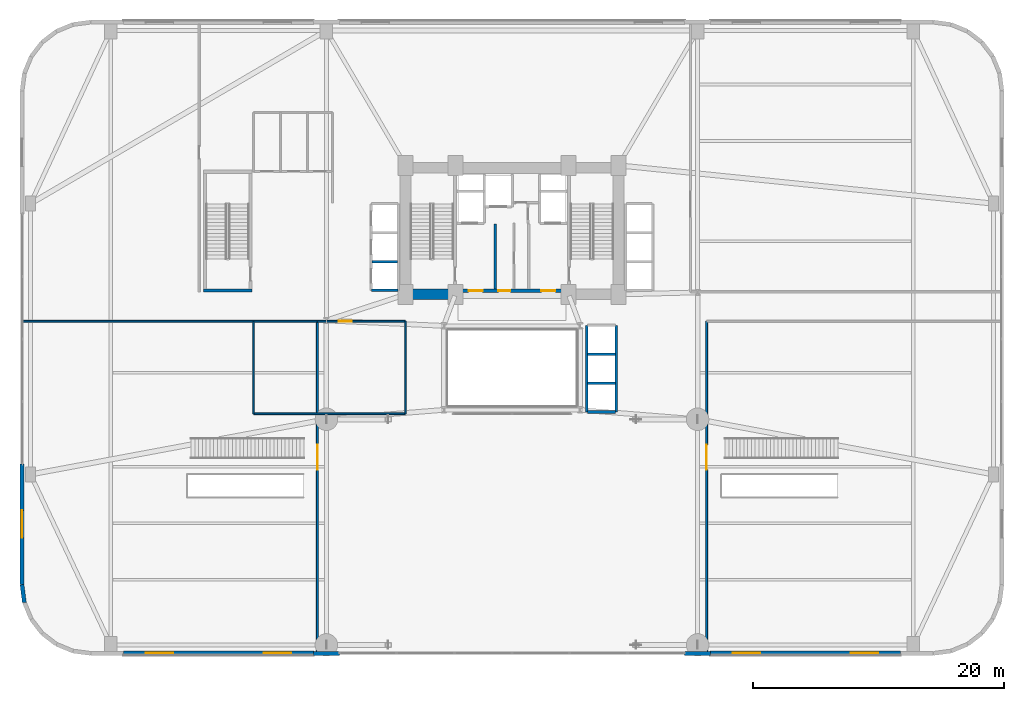
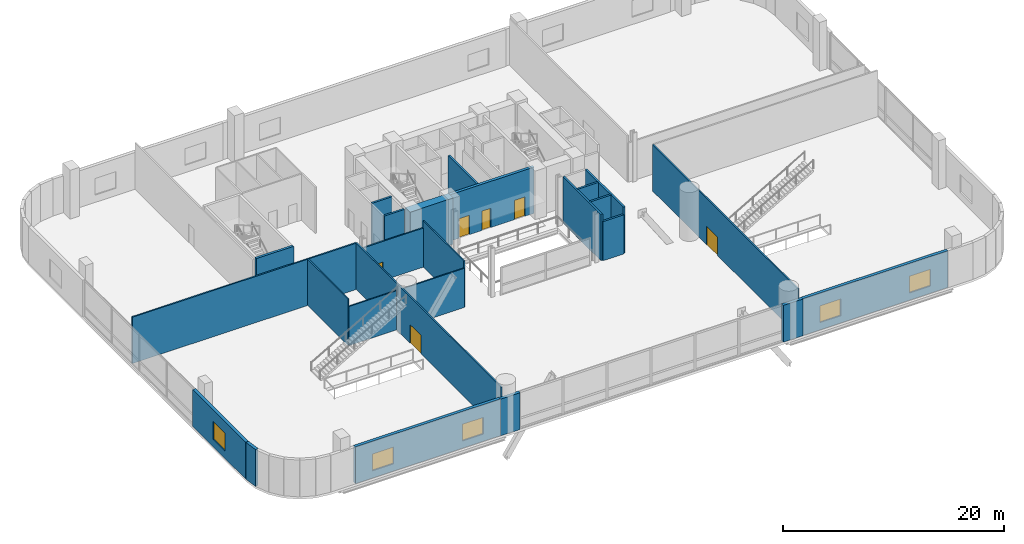
# One storey, part 30 of 40: 24 walls, 6 doors, 5 windows, 11 openings.
"""IFC4 building model written with IfcOpenShell, lengths in metres."""

from ifc_helpers import new_model, si_unit, direction, frame, frame_2d, origin, place, context, subcontext, project, spatial, rectangle, extrude, material, layer, layer_set, type_object, element, fill, save


model = new_model("IFC4")

# Units and contexts
model_context = context("Model", 3, precision=1e-05, world=origin(), true_north=direction((0.0, 1.0)))
body_context = subcontext(model_context, "Body", "Model", "MODEL_VIEW")
ifc_project = project(units=[si_unit("LENGTHUNIT", "METRE"), si_unit("AREAUNIT", "SQUARE_METRE"), si_unit("VOLUMEUNIT", "CUBIC_METRE"), si_unit("PLANEANGLEUNIT", "RADIAN"), si_unit("MASSUNIT", "GRAM", prefix="KILO")], contexts=[model_context])

# Site, building, storey
site_placement = place(None, origin())
site = spatial("IfcSite", under=ifc_project, at=site_placement, CompositionType="ELEMENT")
building_placement = place(site_placement, origin())
building = spatial("IfcBuilding", under=site, at=building_placement, Name="Varnelok Gate Tower", CompositionType="ELEMENT")
storey_placement = place(building_placement, frame((0.0, 0.0, 5.39990234375)))
storey = spatial("IfcBuildingStorey", under=building, at=storey_placement, Name="L01", CompositionType="ELEMENT", Elevation=5.39990234375)

# Wall, openings, windows
ifc_material_1 = material(Name="Concrete C45/55", Category="concrete")
ifc_layer_1 = layer(ifc_material_1, 0.320068359375)
ifc_layer_set_1 = layer_set([ifc_layer_1], Name="Concrete C45/55")
wall_type_1 = type_object("IfcWallType", Name="EW-POD-320", PredefinedType="SOLIDWALL", material=ifc_layer_set_1)
wall_1_placement = place(storey_placement, frame((23.39990234375, 0.159912109375, 0.0), z_axis=(0.0, 0.0, 1.0), x_axis=(-1.0, 0.0, 0.0)))
wall_1 = element("IfcWall", 1, at=wall_1_placement, inside=storey, type_object=wall_type_1, Name="L01 South Podium Arch Facade Wall 1", PredefinedType="SOLIDWALL", context=body_context, shape_type="SweptSolid", body=[
    extrude(rectangle(XDim=15.199951171875, YDim=0.320068359375, at=frame_2d((7.60009765625, 0.0))), origin(), (0.0, 0.0, 1.0), 4.070068359375),
])
opening_1_placement = place(wall_1_placement, frame((1.800048828125, 0.0, 0.800048828125)))
opening_1 = element("IfcOpeningElement", 2, at=opening_1_placement, cuts=wall_1, Name="Opening WN2", PredefinedType="OPENING", context=body_context, shape_type="SweptSolid", body=[
    extrude(rectangle(XDim=2.199951171875, YDim=1.85009765625, at=frame_2d((1.10009765625, 0.925048828125))), frame((0.0, 0.169921875, 0.0), z_axis=(0.0, -1.0, 0.0), x_axis=(1.0, 0.0, 0.0)), (0.0, 0.0, 1.0), 0.340087890625),
])
opening_2_placement = place(wall_1_placement, frame((11.199951171875, 0.0, 0.800048828125)))
opening_2 = element("IfcOpeningElement", 3, at=opening_2_placement, cuts=wall_1, Name="Opening WN2", PredefinedType="OPENING", context=body_context, shape_type="SweptSolid", body=[
    extrude(rectangle(XDim=2.199951171875, YDim=1.85009765625, at=frame_2d((1.10009765625, 0.925048828125))), frame((0.0, 0.169921875, 0.0), z_axis=(0.0, -1.0, 0.0), x_axis=(1.0, 0.0, 0.0)), (0.0, 0.0, 1.0), 0.340087890625),
])
ifc_material_2 = material(Name="Low-E Laminated Double Glazing IGU", Category="glass")
window_type_1 = type_object("IfcWindowType", Name="WN-POD-2200", PartitioningType="SINGLE_PANEL", PredefinedType="WINDOW", material=ifc_material_2)
window_1_placement = place(opening_1_placement, origin())
window_1 = element("IfcWindow", 4, at=window_1_placement, inside=storey, type_object=window_type_1, Name="L01 Podium Arch Facade Window S1.1", OverallHeight=1.85009765625, OverallWidth=2.199951171875, PartitioningType="SINGLE_PANEL", PredefinedType="WINDOW", context=body_context, shape_type="SweptSolid", body=[
    extrude(rectangle(XDim=2.199951171875, YDim=1.85009765625, at=frame_2d((1.10009765625, 0.925048828125))), frame((0.0, 0.030029296875, 0.0), z_axis=(0.0, -1.0, 0.0), x_axis=(1.0, 0.0, 0.0)), (0.0, 0.0, 1.0), 0.06005859375),
])
fill(opening_1, window_1)
window_2_placement = place(opening_2_placement, origin())
window_2 = element("IfcWindow", 5, at=window_2_placement, inside=storey, type_object=window_type_1, Name="L01 Podium Arch Facade Window S1.2", OverallHeight=1.85009765625, OverallWidth=2.199951171875, PartitioningType="SINGLE_PANEL", PredefinedType="WINDOW", context=body_context, shape_type="SweptSolid", body=[
    extrude(rectangle(XDim=2.199951171875, YDim=1.85009765625, at=frame_2d((1.10009765625, 0.925048828125))), frame((0.0, 0.030029296875, 0.0), z_axis=(0.0, -1.0, 0.0), x_axis=(1.0, 0.0, 0.0)), (0.0, 0.0, 1.0), 0.06005859375),
])
fill(opening_2, window_2)

wall_2_placement = place(storey_placement, frame((70.199951171875, 0.159912109375, 0.0), z_axis=(0.0, 0.0, 1.0), x_axis=(-1.0, 0.0, 0.0)))
wall_2 = element("IfcWall", 6, at=wall_2_placement, inside=storey, type_object=wall_type_1, Name="L01 South Podium Arch Facade Wall 2", PredefinedType="SOLIDWALL", context=body_context, shape_type="SweptSolid", body=[
    extrude(rectangle(XDim=15.199951171875, YDim=0.320068359375, at=frame_2d((7.60009765625, 0.0))), origin(), (0.0, 0.0, 1.0), 4.070068359375),
])
opening_3_placement = place(wall_2_placement, frame((1.800048828125, 0.0, 0.800048828125)))
opening_3 = element("IfcOpeningElement", 7, at=opening_3_placement, cuts=wall_2, Name="Opening WN2", PredefinedType="OPENING", context=body_context, shape_type="SweptSolid", body=[
    extrude(rectangle(XDim=2.199951171875, YDim=1.85009765625, at=frame_2d((1.10009765625, 0.925048828125))), frame((0.0, 0.169921875, 0.0), z_axis=(0.0, -1.0, 0.0), x_axis=(1.0, 0.0, 0.0)), (0.0, 0.0, 1.0), 0.340087890625),
])
opening_4_placement = place(wall_2_placement, frame((11.199951171875, 0.0, 0.800048828125)))
opening_4 = element("IfcOpeningElement", 8, at=opening_4_placement, cuts=wall_2, Name="Opening WN2", PredefinedType="OPENING", context=body_context, shape_type="SweptSolid", body=[
    extrude(rectangle(XDim=2.199951171875, YDim=1.85009765625, at=frame_2d((1.10009765625, 0.925048828125))), frame((0.0, 0.169921875, 0.0), z_axis=(0.0, -1.0, 0.0), x_axis=(1.0, 0.0, 0.0)), (0.0, 0.0, 1.0), 0.340087890625),
])
window_3_placement = place(opening_3_placement, origin())
window_3 = element("IfcWindow", 9, at=window_3_placement, inside=storey, type_object=window_type_1, Name="L01 Podium Arch Facade Window S2.1", OverallHeight=1.85009765625, OverallWidth=2.199951171875, PartitioningType="SINGLE_PANEL", PredefinedType="WINDOW", context=body_context, shape_type="SweptSolid", body=[
    extrude(rectangle(XDim=2.199951171875, YDim=1.85009765625, at=frame_2d((1.10009765625, 0.925048828125))), frame((0.0, 0.030029296875, 0.0), z_axis=(0.0, -1.0, 0.0), x_axis=(1.0, 0.0, 0.0)), (0.0, 0.0, 1.0), 0.06005859375),
])
fill(opening_3, window_3)
window_4_placement = place(opening_4_placement, origin())
window_4 = element("IfcWindow", 10, at=window_4_placement, inside=storey, type_object=window_type_1, Name="L01 Podium Arch Facade Window S2.2", OverallHeight=1.85009765625, OverallWidth=2.199951171875, PartitioningType="SINGLE_PANEL", PredefinedType="WINDOW", context=body_context, shape_type="SweptSolid", body=[
    extrude(rectangle(XDim=2.199951171875, YDim=1.85009765625, at=frame_2d((1.10009765625, 0.925048828125))), frame((0.0, 0.030029296875, 0.0), z_axis=(0.0, -1.0, 0.0), x_axis=(1.0, 0.0, 0.0)), (0.0, 0.0, 1.0), 0.06005859375),
])
fill(opening_4, window_4)

# Walls
wall_3_placement = place(storey_placement, frame((0.1201171875, 5.60791015625, 0.0), z_axis=(0.0, 0.0, 1.0), x_axis=(0.130362303307, -0.991466423978, 0.0)))
element("IfcWall", 11, at=wall_3_placement, inside=storey, type_object=wall_type_1, Name="L01 Perimeter Facade Closure Wall 1", PredefinedType="SOLIDWALL", context=body_context, shape_type="SweptSolid", body=[
    extrude(rectangle(XDim=1.438232421875, YDim=0.320068359375, at=frame_2d((0.71923828125, 0.0))), origin(), (0.0, 0.0, 1.0), 4.070068359375),
])
wall_4_placement = place(storey_placement, frame((23.3701171875, 0.1201171875, 0.0), z_axis=(0.0, 0.0, 1.0), x_axis=(1.0, 0.0, 0.0)))
element("IfcWall", 12, at=wall_4_placement, inside=storey, type_object=wall_type_1, Name="L01 Perimeter Facade Closure Wall 8", PredefinedType="SOLIDWALL", context=body_context, shape_type="SweptSolid", body=[
    extrude(rectangle(XDim=2.059814453125, YDim=0.320068359375, at=frame_2d((1.02978515625, 0.0))), origin(), (0.0, 0.0, 1.0), 4.070068359375),
])
wall_5_placement = place(storey_placement, frame((52.969970703125, 0.1201171875, 0.0), z_axis=(0.0, 0.0, 1.0), x_axis=(1.0, 0.0, 0.0)))
element("IfcWall", 13, at=wall_5_placement, inside=storey, type_object=wall_type_1, Name="L01 Perimeter Facade Closure Wall 9", PredefinedType="SOLIDWALL", context=body_context, shape_type="SweptSolid", body=[
    extrude(rectangle(XDim=2.06005859375, YDim=0.320068359375, at=frame_2d((1.030029296875, 0.0))), origin(), (0.0, 0.0, 1.0), 4.070068359375),
])

# Wall, opening, window
wall_6_placement = place(storey_placement, frame((0.1201171875, 15.22998046875, 0.0), z_axis=(0.0, 0.0, 1.0), x_axis=(0.0, -1.0, 0.0)))
wall_6 = element("IfcWall", 14, at=wall_6_placement, inside=storey, type_object=wall_type_1, Name="L01 Perimeter Facade Closure Wall 36", PredefinedType="SOLIDWALL", context=body_context, shape_type="SweptSolid", body=[
    extrude(rectangle(XDim=9.59716796875, YDim=0.320068359375, at=frame_2d((4.798583984375, 0.0))), origin(), (0.0, 0.0, 1.0), 4.070068359375),
])
opening_5_placement = place(wall_6_placement, frame((3.698486328125, 0.0, 0.800048828125)))
opening_5 = element("IfcOpeningElement", 15, at=opening_5_placement, cuts=wall_6, Name="Opening WN2A", PredefinedType="OPENING", context=body_context, shape_type="SweptSolid", body=[
    extrude(rectangle(XDim=2.199951171875, YDim=2.0, at=frame_2d((1.10009765625, 1.0))), frame((0.0, 0.169921875, 0.0), z_axis=(0.0, -1.0, 0.0), x_axis=(1.0, 0.0, 0.0)), (0.0, 0.0, 1.0), 0.340087890625),
])
window_type_2 = type_object("IfcWindowType", Name="WN-POD-2200X2000", PartitioningType="SINGLE_PANEL", PredefinedType="WINDOW", material=ifc_material_2)
window_5_placement = place(opening_5_placement, origin())
window_5 = element("IfcWindow", 16, at=window_5_placement, inside=storey, type_object=window_type_2, Name="L01 Perimeter Vision Window 36", OverallHeight=2.0, OverallWidth=2.199951171875, PartitioningType="SINGLE_PANEL", PredefinedType="WINDOW", context=body_context, shape_type="SweptSolid", body=[
    extrude(rectangle(XDim=2.199951171875, YDim=2.0, at=frame_2d((1.10009765625, 1.0))), frame((0.0, 0.030029296875, 0.0), z_axis=(0.0, -1.0, 0.0), x_axis=(1.0, 0.0, 0.0)), (0.0, 0.0, 1.0), 0.06005859375),
])
fill(opening_5, window_5)

# Walls
ifc_material_3 = material(Name="Gypsum Plasterboard Acoustic Partition", Category="gypsum")
ifc_layer_2 = layer(ifc_material_3, 0.125)
ifc_layer_set_2 = layer_set([ifc_layer_2], Name="Gypsum Plasterboard Acoustic Partition")
wall_type_2 = type_object("IfcWallType", Name="PW-PART-125", PredefinedType="PARTITIONING", material=ifc_layer_set_2)
wall_7_placement = place(storey_placement, frame((30.699951171875, 19.239990234375, 0.0), z_axis=(0.0, 0.0, 1.0), x_axis=(0.0, 1.0, 0.0)))
element("IfcWall", 17, at=wall_7_placement, inside=storey, type_object=wall_type_2, Name="Interior Partition", PredefinedType="PARTITIONING", context=body_context, shape_type="SweptSolid", body=[
    extrude(rectangle(XDim=7.380126953125, YDim=0.125, at=frame_2d((3.68994140625, 0.0))), origin(), (0.0, 0.0, 1.0), 5.1201171875),
])
wall_8_placement = place(storey_placement, frame((18.60009765625, 19.239990234375, 0.0), z_axis=(0.0, 0.0, 1.0), x_axis=(0.0, 1.0, 0.0)))
element("IfcWall", 18, at=wall_8_placement, inside=storey, type_object=wall_type_2, Name="Interior Partition", PredefinedType="PARTITIONING", context=body_context, shape_type="SweptSolid", body=[
    extrude(rectangle(XDim=7.340087890625, YDim=0.125, at=frame_2d((3.669921875, 0.0))), origin(), (0.0, 0.0, 1.0), 5.1201171875),
])
wall_9_placement = place(storey_placement, frame((18.60009765625, 19.239990234375, 0.0), z_axis=(0.0, 0.0, 1.0), x_axis=(1.0, 0.0, 0.0)))
element("IfcWall", 19, at=wall_9_placement, inside=storey, type_object=wall_type_2, Name="Interior Partition", PredefinedType="PARTITIONING", context=body_context, shape_type="SweptSolid", body=[
    extrude(rectangle(XDim=12.099853515625, YDim=0.125, at=frame_2d((6.0498046875, 0.0))), origin(), (0.0, 0.0, 1.0), 4.33203125),
])

# Wall, opening, door
ifc_layer_3 = layer(ifc_material_3, 0.14990234375)
ifc_layer_set_3 = layer_set([ifc_layer_3], Name="Gypsum Plasterboard Acoustic Partition")
wall_type_3 = type_object("IfcWallType", Name="PW-PART-150", PredefinedType="PARTITIONING", material=ifc_layer_set_3)
wall_10_placement = place(storey_placement, frame((23.679931640625, 0.25, 0.0), z_axis=(0.0, 0.0, 1.0), x_axis=(0.0, 1.0, 0.0)))
wall_10 = element("IfcWall", 20, at=wall_10_placement, inside=storey, type_object=wall_type_3, Name="Interior Partition", PredefinedType="PARTITIONING", context=body_context, shape_type="SweptSolid", body=[
    extrude(rectangle(XDim=26.3701171875, YDim=0.14990234375, at=frame_2d((13.18505859375, 0.0))), origin(), (0.0, 0.0, 1.0), 5.1201171875),
])
opening_6_placement = place(wall_10_placement, frame((14.514404296875, 0.0, 0.0)))
opening_6 = element("IfcOpeningElement", 21, at=opening_6_placement, cuts=wall_10, Name="Opening D-BL", PredefinedType="OPENING", context=body_context, shape_type="SweptSolid", body=[
    extrude(rectangle(XDim=2.0, YDim=2.050048828125, at=frame_2d((1.0, 1.02490234375))), frame((0.0, 0.0849609375, 0.0), z_axis=(0.0, -1.0, 0.0), x_axis=(1.0, 0.0, 0.0)), (0.0, 0.0, 1.0), 0.169921875),
])
ifc_material_4 = material(Name="Engineered Hardwood Timber", Category="wood")
door_type_1 = type_object("IfcDoorType", Name="DR-BALL-2000", OperationType="DOUBLE_DOOR_SINGLE_SWING", PredefinedType="DOOR", material=ifc_material_4)
door_1_placement = place(opening_6_placement, origin())
door_1 = element("IfcDoor", 22, at=door_1_placement, inside=storey, type_object=door_type_1, Name="L01 West Arcade Door", OperationType="DOUBLE_DOOR_SINGLE_SWING", OverallHeight=2.050048828125, OverallWidth=2.0, PredefinedType="DOOR", context=body_context, shape_type="SweptSolid", body=[
    extrude(rectangle(XDim=2.0, YDim=2.050048828125, at=frame_2d((1.0, 1.02490234375))), frame((0.0, 0.02490234375, 0.0), z_axis=(0.0, -1.0, 0.0), x_axis=(1.0, 0.0, 0.0)), (0.0, 0.0, 1.0), 0.050048828125),
])
fill(opening_6, door_1)

wall_11_placement = place(storey_placement, frame((54.719970703125, 0.25, 0.0), z_axis=(0.0, 0.0, 1.0), x_axis=(0.0, 1.0, 0.0)))
wall_11 = element("IfcWall", 23, at=wall_11_placement, inside=storey, type_object=wall_type_3, Name="Interior Partition", PredefinedType="PARTITIONING", context=body_context, shape_type="SweptSolid", body=[
    extrude(rectangle(XDim=26.3701171875, YDim=0.14990234375, at=frame_2d((13.18505859375, 0.0))), origin(), (0.0, 0.0, 1.0), 5.1201171875),
])
opening_7_placement = place(wall_11_placement, frame((14.514404296875, 0.0, 0.0)))
opening_7 = element("IfcOpeningElement", 24, at=opening_7_placement, cuts=wall_11, Name="Opening D-BL", PredefinedType="OPENING", context=body_context, shape_type="SweptSolid", body=[
    extrude(rectangle(XDim=2.0, YDim=2.050048828125, at=frame_2d((1.0, 1.02490234375))), frame((0.0, 0.0849609375, 0.0), z_axis=(0.0, -1.0, 0.0), x_axis=(1.0, 0.0, 0.0)), (0.0, 0.0, 1.0), 0.169921875),
])
door_2_placement = place(opening_7_placement, origin())
door_2 = element("IfcDoor", 25, at=door_2_placement, inside=storey, type_object=door_type_1, Name="L01 East Arcade Door", OperationType="DOUBLE_DOOR_SINGLE_SWING", OverallHeight=2.050048828125, OverallWidth=2.0, PredefinedType="DOOR", context=body_context, shape_type="SweptSolid", body=[
    extrude(rectangle(XDim=2.0, YDim=2.050048828125, at=frame_2d((1.0, 1.02490234375))), frame((0.0, 0.02490234375, 0.0), z_axis=(0.0, -1.0, 0.0), x_axis=(1.0, 0.0, 0.0)), (0.0, 0.0, 1.0), 0.050048828125),
])
fill(opening_7, door_2)

# Wall
wall_12_placement = place(storey_placement, frame((0.199951171875, 26.6201171875, 0.0), z_axis=(0.0, 0.0, 1.0), x_axis=(1.0, 0.0, 0.0)))
element("IfcWall", 26, at=wall_12_placement, inside=storey, type_object=wall_type_3, Name="Interior Partition", PredefinedType="PARTITIONING", context=body_context, shape_type="SweptSolid", body=[
    extrude(rectangle(XDim=23.47998046875, YDim=0.14990234375, at=frame_2d((11.739990234375, 0.0))), origin(), (0.0, 0.0, 1.0), 5.1201171875),
])

# Wall, opening, door
wall_13_placement = place(storey_placement, frame((23.679931640625, 26.6201171875, 0.0), z_axis=(0.0, 0.0, 1.0), x_axis=(1.0, 0.0, 0.0)))
wall_13 = element("IfcWall", 27, at=wall_13_placement, inside=storey, type_object=wall_type_3, Name="Interior Partition", PredefinedType="PARTITIONING", context=body_context, shape_type="SweptSolid", body=[
    extrude(rectangle(XDim=7.02001953125, YDim=0.14990234375, at=frame_2d((3.510009765625, 0.0))), origin(), (0.0, 0.0, 1.0), 4.33203125),
])
opening_8_placement = place(wall_13_placement, frame((1.719970703125, 0.0, 0.0)))
opening_8 = element("IfcOpeningElement", 28, at=opening_8_placement, cuts=wall_13, Name="Opening D-I1", PredefinedType="OPENING", context=body_context, shape_type="SweptSolid", body=[
    extrude(rectangle(XDim=1.0, YDim=2.050048828125, at=frame_2d((0.5, 1.02490234375))), frame((0.0, 0.0849609375, 0.0), z_axis=(0.0, -1.0, 0.0), x_axis=(1.0, 0.0, 0.0)), (0.0, 0.0, 1.0), 0.169921875),
])
door_type_2 = type_object("IfcDoorType", Name="DR-INT-1000", OperationType="NOTDEFINED", PredefinedType="DOOR", material=ifc_material_4)
door_3_placement = place(opening_8_placement, origin())
door_3 = element("IfcDoor", 29, at=door_3_placement, inside=storey, type_object=door_type_2, Name="L01 Business Center Door", OperationType="SINGLE_SWING_LEFT", OverallHeight=2.050048828125, OverallWidth=1.0, PredefinedType="DOOR", context=body_context, shape_type="SweptSolid", body=[
    extrude(rectangle(XDim=1.0, YDim=2.050048828125, at=frame_2d((0.5, 1.02490234375))), frame((0.0, 0.02490234375, 0.0), z_axis=(0.0, -1.0, 0.0), x_axis=(1.0, 0.0, 0.0)), (0.0, 0.0, 1.0), 0.050048828125),
])
fill(opening_8, door_3)

# Walls
ifc_material_5 = material(Name="Concrete C35/45", Category="concrete")
ifc_layer_4 = layer(ifc_material_5, 0.199951171875)
ifc_layer_set_4 = layer_set([ifc_layer_4], Name="Concrete C35/45")
wall_type_4 = type_object("IfcWallType", Name="PW-SHAFT-200", PredefinedType="PARTITIONING", material=ifc_layer_set_4)
wall_14_placement = place(storey_placement, frame((37.860107421875, 29.199951171875, 0.0), z_axis=(0.0, 0.0, 1.0), x_axis=(0.0, 1.0, 0.0)))
element("IfcWall", 30, at=wall_14_placement, inside=storey, type_object=wall_type_4, Name="L01 West FF Lobby Rated Wall", PredefinedType="PARTITIONING", context=body_context, shape_type="SweptSolid", body=[
    extrude(rectangle(XDim=5.179931640625, YDim=0.199951171875, at=frame_2d((2.58984375, 0.0))), origin(), (0.0, 0.0, 1.0), 5.1201171875),
])
wall_15_placement = place(storey_placement, frame((28.02001953125, 31.375, 0.0), z_axis=(0.0, 0.0, 1.0), x_axis=(1.0, 0.0, 0.0)))
element("IfcWall", 31, at=wall_15_placement, inside=storey, type_object=wall_type_4, Name="L01 PL1 Divider", PredefinedType="PARTITIONING", context=body_context, shape_type="SweptSolid", body=[
    extrude(rectangle(XDim=2.06005859375, YDim=0.199951171875, at=frame_2d((1.030029296875, 0.0))), origin(), (0.0, 0.0, 1.0), 5.1201171875),
])
wall_16_placement = place(storey_placement, frame((28.0, 29.080078125, 0.0), z_axis=(0.0, 0.0, 1.0), x_axis=(1.0, 0.0, 0.0)))
element("IfcWall", 32, at=wall_16_placement, inside=storey, type_object=wall_type_4, Name="L01 PL Bank South Wall", PredefinedType="PARTITIONING", context=body_context, shape_type="SweptSolid", body=[
    extrude(rectangle(XDim=2.10009765625, YDim=0.199951171875, at=frame_2d((1.050048828125, 0.0))), origin(), (0.0, 0.0, 1.0), 5.1201171875),
])
for number, where, z_axis, x_axis, name in (
    (33, (45.239990234375, 21.675048828125, 0.0), (0.0, 0.0, 1.0), (1.0, 0.0, 0.0), "L01 PH1 Divider"),
    (34, (45.239990234375, 23.97509765625, 0.0), (0.0, 0.0, 1.0), (1.0, 0.0, 0.0), "L01 PH2 Divider"),
):
    element("IfcWall", number, at=place(storey_placement, frame(where, z_axis=z_axis, x_axis=x_axis)), inside=storey, type_object=wall_type_4, Name=name, PredefinedType="PARTITIONING", context=body_context, shape_type="SweptSolid", body=[
        extrude(rectangle(XDim=2.219970703125, YDim=0.199951171875, at=frame_2d((1.10986328125, 0.0))), origin(), (0.0, 0.0, 1.0), 5.1201171875),
    ])
wall_17_placement = place(storey_placement, frame((45.239990234375, 19.3798828125, 0.0), z_axis=(0.0, 0.0, 1.0), x_axis=(1.0, 0.0, 0.0)))
element("IfcWall", 35, at=wall_17_placement, inside=storey, type_object=wall_type_4, Name="L01 PH Bank South Wall", PredefinedType="PARTITIONING", context=body_context, shape_type="SweptSolid", body=[
    extrude(rectangle(XDim=2.219970703125, YDim=0.199951171875, at=frame_2d((1.10986328125, 0.0))), origin(), (0.0, 0.0, 1.0), 4.33203125),
])
for number, where, z_axis, x_axis, name in (
    (36, (45.179931640625, 19.3798828125, 0.0), (0.0, 0.0, 1.0), (0.0, 1.0, 0.0), "L01 PH Bank Atrium Wall"),
    (37, (47.52001953125, 19.3798828125, 0.0), (0.0, 0.0, 1.0), (0.0, 1.0, 0.0), "L01 PH Bank Front Wall"),
):
    element("IfcWall", number, at=place(storey_placement, frame(where, z_axis=z_axis, x_axis=x_axis)), inside=storey, type_object=wall_type_4, Name=name, PredefinedType="PARTITIONING", context=body_context, shape_type="SweptSolid", body=[
        extrude(rectangle(XDim=6.900146484375, YDim=0.199951171875, at=frame_2d((3.4501953125, 0.0))), origin(), (0.0, 0.0, 1.0), 5.1201171875),
    ])
ifc_material_6 = material(Name="Concrete C70/85", Category="concrete")
ifc_layer_5 = layer(ifc_material_6, 0.85009765625)
ifc_layer_set_5 = layer_set([ifc_layer_5], Name="Concrete C70/85")
wall_type_5 = type_object("IfcWallType", Name="SW-CORE-850", PredefinedType="SHEAR", material=ifc_layer_set_5)
wall_18_placement = place(storey_placement, frame((30.280029296875, 28.77490234375, 0.0), z_axis=(0.0, 0.0, 1.0), x_axis=(1.0, 0.0, 0.0)))
element("IfcWall", 38, at=wall_18_placement, inside=storey, type_object=wall_type_5, Name="L01 Rear Core South-West Shear Wall", PredefinedType="SHEAR", context=body_context, shape_type="SweptSolid", body=[
    extrude(rectangle(XDim=4.52001953125, YDim=0.85009765625, at=frame_2d((2.260009765625, 0.0))), origin(), (0.0, 0.0, 1.0), 5.1201171875),
])
ifc_material_7 = material(Name="Concrete C60/75", Category="concrete")
ifc_layer_6 = layer(ifc_material_7, 0.25)
ifc_layer_set_6 = layer_set([ifc_layer_6], Name="Concrete C60/75")
wall_type_6 = type_object("IfcWallType", Name="SW-SHAFT-250", PredefinedType="SHEAR", material=ifc_layer_set_6)
wall_19_placement = place(storey_placement, frame((14.580078125, 29.074951171875, 0.0), z_axis=(0.0, 0.0, 1.0), x_axis=(1.0, 0.0, 0.0)))
element("IfcWall", 39, at=wall_19_placement, inside=storey, type_object=wall_type_6, Name="L01 Stair ST-3 South Shear Wall", PredefinedType="SHEAR", context=body_context, shape_type="SweptSolid", body=[
    extrude(rectangle(XDim=3.889892578125, YDim=0.25, at=frame_2d((1.94482421875, 0.0))), origin(), (0.0, 0.0, 1.0), 5.1201171875),
])

# Wall, openings, doors
ifc_layer_7 = layer(ifc_material_7, 0.300048828125)
ifc_layer_set_7 = layer_set([ifc_layer_7], Name="Concrete C60/75")
wall_type_7 = type_object("IfcWallType", Name="SW-SHAFT-300", PredefinedType="SHEAR", material=ifc_layer_set_7)
wall_20_placement = place(storey_placement, frame((34.800048828125, 29.050048828125, 0.0), z_axis=(0.0, 0.0, 1.0), x_axis=(1.0, 0.0, 0.0)))
wall_20 = element("IfcWall", 40, at=wall_20_placement, inside=storey, type_object=wall_type_7, Name="L01 Rear Core Central Lobby Shear Wall", PredefinedType="SHEAR", context=body_context, shape_type="SweptSolid", body=[
    extrude(rectangle(XDim=8.800048828125, YDim=0.300048828125, at=frame_2d((4.39990234375, 0.0))), origin(), (0.0, 0.0, 1.0), 5.1201171875),
])
opening_9_placement = place(wall_20_placement, frame((0.949951171875, 0.0, 0.0)))
opening_9 = element("IfcOpeningElement", 41, at=opening_9_placement, cuts=wall_20, Name="Opening D-FF", PredefinedType="OPENING", context=body_context, shape_type="SweptSolid", body=[
    extrude(rectangle(XDim=1.10009765625, YDim=2.14990234375, at=frame_2d((0.550048828125, 1.074951171875))), frame((0.0, 0.159912109375, 0.0), z_axis=(0.0, -1.0, 0.0), x_axis=(1.0, 0.0, 0.0)), (0.0, 0.0, 1.0), 0.320068359375),
])
opening_10_placement = place(wall_20_placement, frame((6.75, 0.0, 0.0)))
opening_10 = element("IfcOpeningElement", 42, at=opening_10_placement, cuts=wall_20, Name="Opening D-FF", PredefinedType="OPENING", context=body_context, shape_type="SweptSolid", body=[
    extrude(rectangle(XDim=1.10009765625, YDim=2.14990234375, at=frame_2d((0.550048828125, 1.074951171875))), frame((0.0, 0.159912109375, 0.0), z_axis=(0.0, -1.0, 0.0), x_axis=(1.0, 0.0, 0.0)), (0.0, 0.0, 1.0), 0.320068359375),
])
opening_11_placement = place(wall_20_placement, frame((3.320068359375, 0.0, 0.0)))
opening_11 = element("IfcOpeningElement", 43, at=opening_11_placement, cuts=wall_20, Name="Opening D-CR", PredefinedType="OPENING", context=body_context, shape_type="SweptSolid", body=[
    extrude(rectangle(XDim=0.949951171875, YDim=2.14990234375, at=frame_2d((0.47509765625, 1.074951171875))), frame((0.0, 0.159912109375, 0.0), z_axis=(0.0, -1.0, 0.0), x_axis=(1.0, 0.0, 0.0)), (0.0, 0.0, 1.0), 0.320068359375),
])
ifc_material_8 = material(Name="Galvanized Steel Grade S350GD", Category="steel")
door_type_3 = type_object("IfcDoorType", Name="DR-CORR-950", OperationType="NOTDEFINED", PredefinedType="DOOR", material=ifc_material_8)
door_4_placement = place(opening_11_placement, origin())
door_4 = element("IfcDoor", 44, at=door_4_placement, inside=storey, type_object=door_type_3, Name="L01 Core Service Passage Door", OperationType="SINGLE_SWING_LEFT", OverallHeight=2.14990234375, OverallWidth=0.949951171875, PredefinedType="DOOR", context=body_context, shape_type="SweptSolid", body=[
    extrude(rectangle(XDim=0.949951171875, YDim=2.14990234375, at=frame_2d((0.47509765625, 1.074951171875))), frame((0.0, 0.02490234375, 0.0), z_axis=(0.0, -1.0, 0.0), x_axis=(1.0, 0.0, 0.0)), (0.0, 0.0, 1.0), 0.050048828125),
])
fill(opening_11, door_4)
door_type_4 = type_object("IfcDoorType", Name="DR-FFLOB-1100", OperationType="NOTDEFINED", PredefinedType="DOOR", material=ifc_material_8)
door_5_placement = place(opening_9_placement, origin())
door_5 = element("IfcDoor", 45, at=door_5_placement, inside=storey, type_object=door_type_4, Name="L01 West Firefighting Lobby Fire Door", OperationType="SINGLE_SWING_RIGHT", OverallHeight=2.14990234375, OverallWidth=1.10009765625, PredefinedType="DOOR", context=body_context, shape_type="SweptSolid", body=[
    extrude(rectangle(XDim=1.10009765625, YDim=2.14990234375, at=frame_2d((0.550048828125, 1.074951171875))), frame((0.0, 0.02490234375, 0.0), z_axis=(0.0, -1.0, 0.0), x_axis=(1.0, 0.0, 0.0)), (0.0, 0.0, 1.0), 0.050048828125),
])
fill(opening_9, door_5)
door_6_placement = place(opening_10_placement, origin())
door_6 = element("IfcDoor", 46, at=door_6_placement, inside=storey, type_object=door_type_4, Name="L01 East Firefighting Lobby Fire Door", OperationType="SINGLE_SWING_LEFT", OverallHeight=2.14990234375, OverallWidth=1.10009765625, PredefinedType="DOOR", context=body_context, shape_type="SweptSolid", body=[
    extrude(rectangle(XDim=1.10009765625, YDim=2.14990234375, at=frame_2d((0.550048828125, 1.074951171875))), frame((0.0, 0.02490234375, 0.0), z_axis=(0.0, -1.0, 0.0), x_axis=(1.0, 0.0, 0.0)), (0.0, 0.0, 1.0), 0.050048828125),
])
fill(opening_10, door_6)

save(model, "model.ifc")
